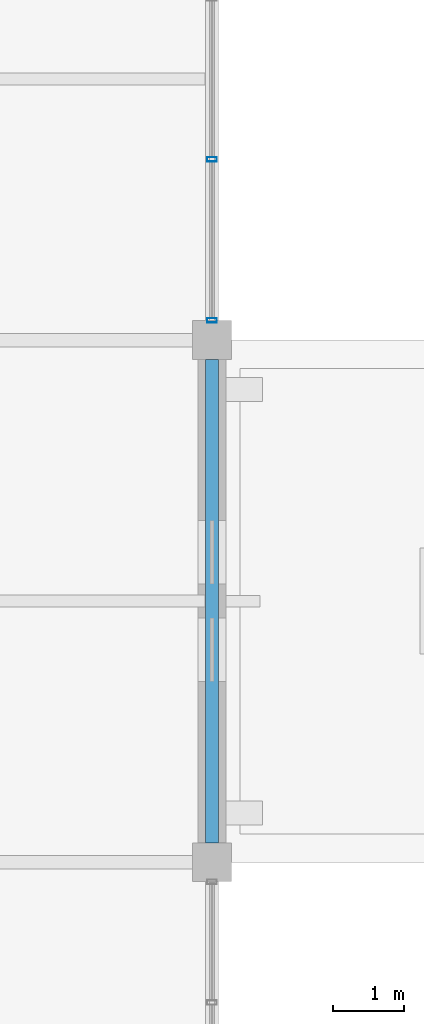
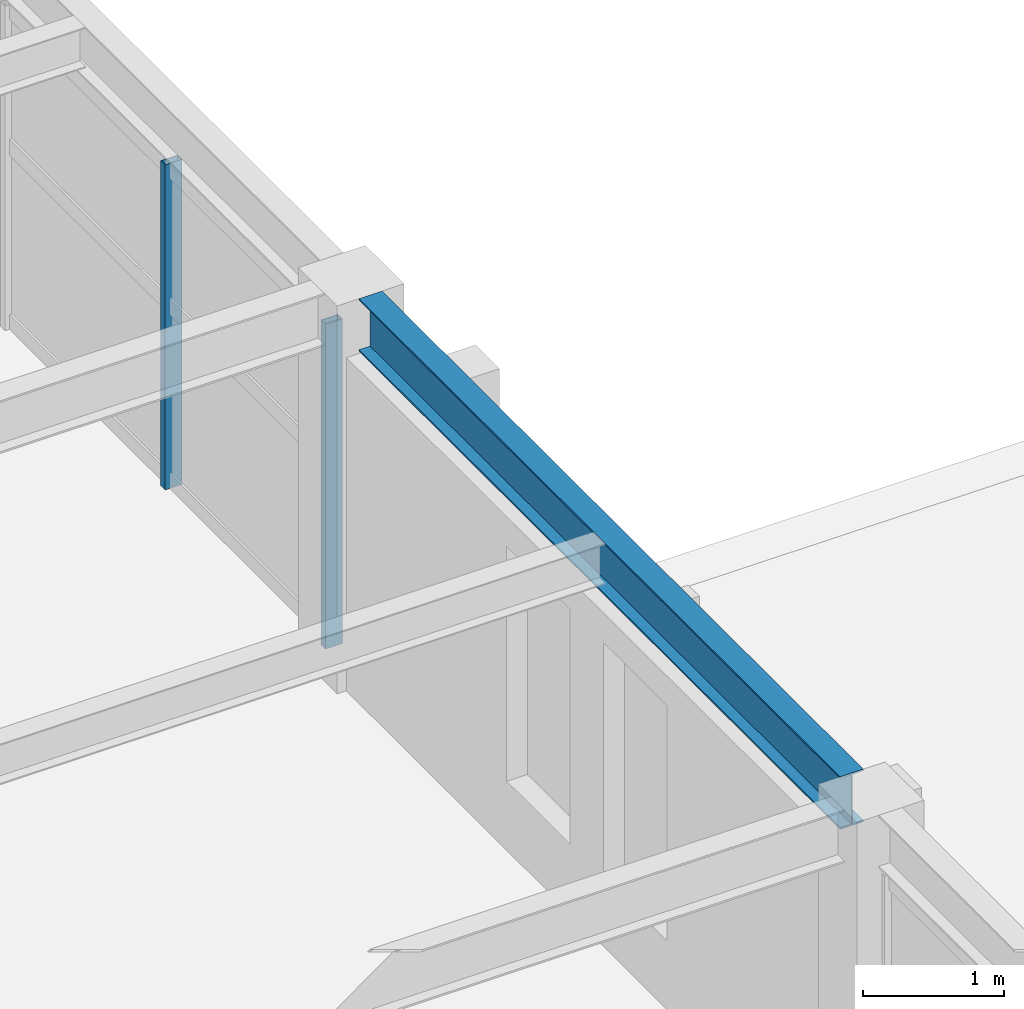
# One storey, part 81 of 121: 2 members, 1 beam, 1 element without a shape of its own.
"""IFC4 building model written with IfcOpenShell, lengths in metres."""

from ifc_helpers import new_model, si_unit, direction, frame, origin, origin_2d, place, context, subcontext, project, spatial, hollow_rectangle, i_section, extrude, material, material_profile, profile_set, type_object, element, aggregate, save


model = new_model("IFC4")

# Units and contexts
model_context = context("Model", 3, precision=1e-05, world=origin(), true_north=direction((0.0, 1.0)))
body_context = subcontext(model_context, "Body", "Model", "MODEL_VIEW")
ifc_project = project(units=[si_unit("LENGTHUNIT", "METRE"), si_unit("AREAUNIT", "SQUARE_METRE"), si_unit("VOLUMEUNIT", "CUBIC_METRE"), si_unit("PLANEANGLEUNIT", "RADIAN"), si_unit("MASSUNIT", "GRAM", prefix="KILO")], contexts=[model_context])

# Site, building, storey
site_placement = place(None, origin())
site = spatial("IfcSite", under=ifc_project, at=site_placement, CompositionType="ELEMENT")
building_placement = place(site_placement, origin())
building = spatial("IfcBuilding", under=site, at=building_placement, Name="Cimatlan Art Gallery", CompositionType="ELEMENT")
storey_placement = place(building_placement, frame((0.0, 0.0, 10.199951171875)))
storey = spatial("IfcBuildingStorey", under=building, at=storey_placement, Name="L02", CompositionType="ELEMENT", Elevation=10.199951171875)

# Beam
ifc_material_1 = material(Name="Steel ASTM A992 Grade 50", Category="steel")
ifc_material_profile_1 = material_profile(ifc_material_1, i_section(OverallWidth=0.19091796875, OverallDepth=0.45703125, WebThickness=0.009033203125, FlangeThickness=0.014404296875, at=origin_2d()), Name="W18X50")
ifc_profile_set_1 = profile_set([ifc_material_profile_1], Name="Steel ASTM A992 Grade 50")
beam_type = type_object("IfcBeamType", Name="BM-STL-W18X50", PredefinedType="BEAM", material=ifc_profile_set_1)
beam_placement = place(storey_placement, frame((131.60009765625, 53.77490234375, 3.1416015625), z_axis=(0.0, 1.0, 0.0), x_axis=(-1.0, 0.0, 0.0)))
element("IfcBeam", 1, at=beam_placement, inside=storey, type_object=beam_type, Name="BM-Y-L02-16-07", PredefinedType="BEAM", context=body_context, shape_type="SweptSolid", body=[
    extrude(i_section(OverallWidth=0.19091796875, OverallDepth=0.45703125, WebThickness=0.009033203125, FlangeThickness=0.014404296875, at=origin_2d()), origin(), (0.0, 0.0, 1.0), 6.85009765625),
])

# Curtain wall, members
ifc_material_2 = material(Name="Anodised bronze unitised curtain wall")
curtain_wall_type = type_object("IfcCurtainWallType", Name="CW-V-06842X02823-B3", PredefinedType="NOTDEFINED", material=ifc_material_2)
curtain_wall_placement = place(storey_placement, origin())
curtain_wall = element("IfcCurtainWall", 2, at=curtain_wall_placement, inside=storey, type_object=curtain_wall_type, Name="CW-L02-15-08-E", PredefinedType="NOTDEFINED")
ifc_material_3 = material(Name="Anodised bronze aluminium 6063-T6", Category="aluminium")
ifc_material_profile_2 = material_profile(ifc_material_3, hollow_rectangle(XDim=0.06494140625, YDim=0.139892578125, WallThickness=0.00390625, at=origin_2d()), Name="ALU65X140X4")
ifc_profile_set_2 = profile_set([ifc_material_profile_2], Name="Anodised bronze aluminium 6063-T6")
member_type = type_object("IfcMemberType", Name="CW-MUL-140", PredefinedType="MULLION", material=ifc_profile_set_2)
member_1_placement = place(storey_placement, frame((131.60009765625, 63.459716796875, 0.0), z_axis=(0.0, 0.0, 1.0), x_axis=(0.0, 1.0, 0.0)))
member_1 = element("IfcMember", 3, at=member_1_placement, type_object=member_type, Name="CW-L02-15-08-E-M3", PredefinedType="MULLION", context=body_context, shape_type="SweptSolid", body=[
    extrude(hollow_rectangle(XDim=0.06494140625, YDim=0.139892578125, WallThickness=0.00390625, at=origin_2d()), origin(), (0.0, 0.0, 1.0), 2.822998046875),
])
member_2_placement = place(storey_placement, frame((131.60009765625, 61.178955078125, 0.0), z_axis=(0.0, 0.0, 1.0), x_axis=(0.0, 1.0, 0.0)))
member_2 = element("IfcMember", 4, at=member_2_placement, type_object=member_type, Name="CW-L02-15-08-E-M4", PredefinedType="MULLION", context=body_context, shape_type="SweptSolid", body=[
    extrude(hollow_rectangle(XDim=0.06494140625, YDim=0.139892578125, WallThickness=0.00390625, at=origin_2d()), origin(), (0.0, 0.0, 1.0), 2.822998046875),
])
aggregate(curtain_wall, [member_1, member_2])

save(model, "model.ifc")
